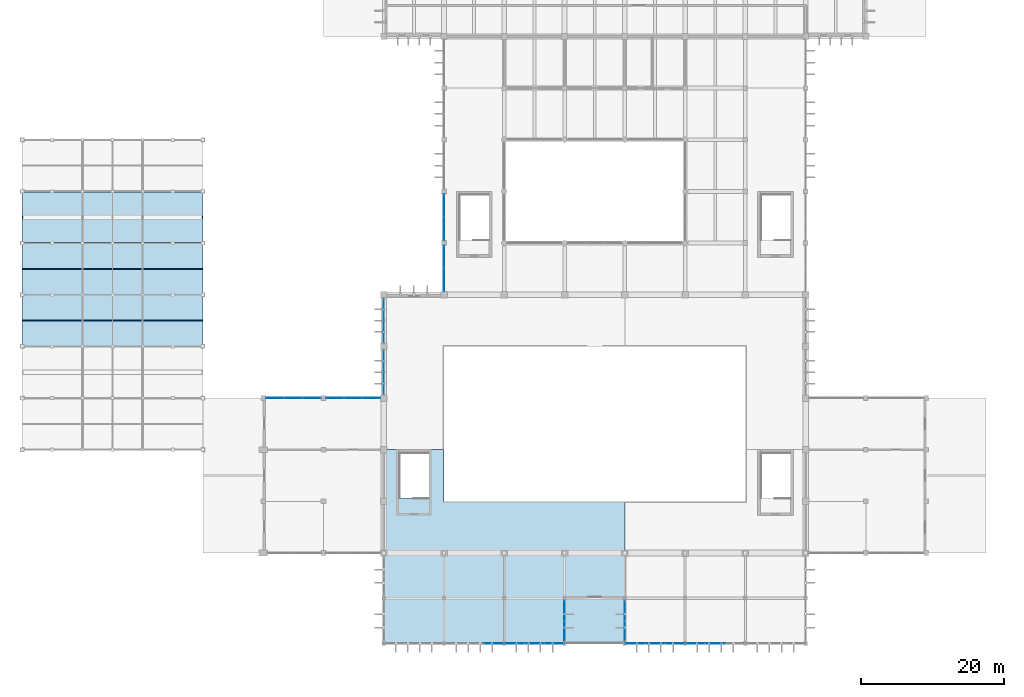
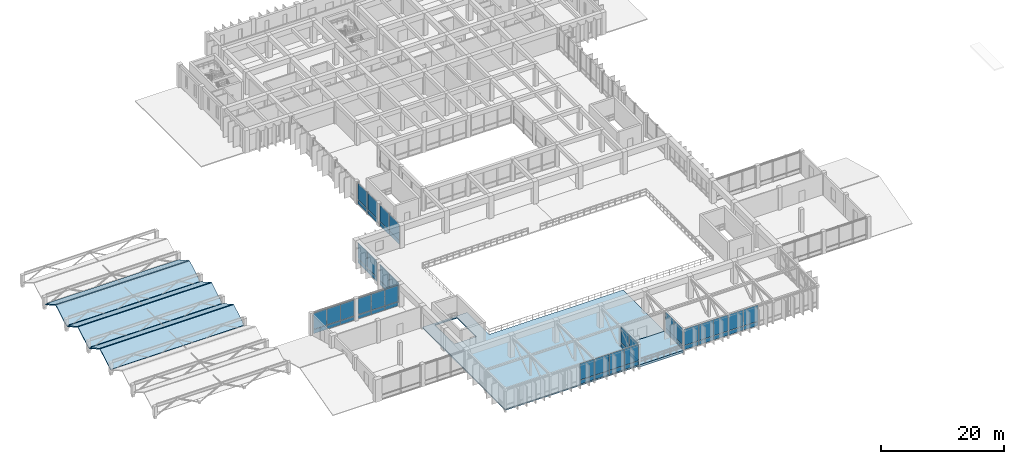
# One storey, part 21 of 40: 54 plates, 8 slabs, 12 elements without a shape of their own.
"""IFC4 building model written with IfcOpenShell, lengths in metres."""

import ifcopenshell
import ifcopenshell.guid

model = None  # the IFC model being written
_history = None  # IfcOwnerHistory: only IFC2X3 demands one
_inside = {}  # id of a spatial element -> (the spatial element, [elements in it])
_under = {}  # id of a project, library or spatial element -> (it, [spatial elements below it])
_declared = {}  # id of a project -> (the project, [libraries it declares])
_typed = {}  # id of a type object -> (the type object, [elements of that type])
_made_of = {}  # id of a material, layer set ... -> (it, [elements and type objects made of it])


def new_model(schema):
    """Start an empty IFC model of exactly this schema.

    Asked for "IFC4X3", IfcOpenShell would pick the latest addendum, in which some entities
    have other attributes; the version numbers below select the first issue.
    IFC2X3 requires an IfcOwnerHistory on every rooted entity: one is made here for all.
    """
    global model, _history
    if schema == "IFC4X3":
        model = ifcopenshell.file(schema_version=(4, 3, 0, 0))
    else:
        model = ifcopenshell.file(schema=schema)
    _inside.clear()
    _under.clear()
    _declared.clear()
    _typed.clear()
    _made_of.clear()
    _history = None
    if model.schema == "IFC2X3":
        org = make("IfcOrganization", Name="unknown")
        user = make(
            "IfcPersonAndOrganization",
            ThePerson=make("IfcPerson", FamilyName="unknown"),
            TheOrganization=org,
        )
        app = make(
            "IfcApplication",
            ApplicationDeveloper=org,
            Version="unknown",
            ApplicationFullName="unknown",
            ApplicationIdentifier="unknown",
        )
        _history = make(
            "IfcOwnerHistory",
            OwningUser=user,
            OwningApplication=app,
            ChangeAction="ADDED",
            CreationDate=0,
        )
    return model


def make(cls, **values):
    """One entity of the class cls with the attributes given. An attribute that is None is left unset."""
    return model.create_entity(
        cls, **{name: value for name, value in values.items() if value is not None}
    )


def rooted(cls, **values):
    """An entity with a GlobalId (a new one), such as an element, a storey or a relation."""
    return make(cls, GlobalId=ifcopenshell.guid.new(), OwnerHistory=_history, **values)


def si_unit(unit_type, name, prefix=None):
    """IfcSIUnit, for example si_unit("LENGTHUNIT", "METRE", prefix="MILLI")."""
    return make("IfcSIUnit", UnitType=unit_type, Prefix=prefix, Name=name)


def assignment(units):
    """IfcUnitAssignment: the units of a project."""
    return None if units is None else make("IfcUnitAssignment", Units=units)


def point(xyz):
    """IfcCartesianPoint."""
    return None if xyz is None else make("IfcCartesianPoint", Coordinates=xyz)


def direction(xyz):
    """IfcDirection."""
    return None if xyz is None else make("IfcDirection", DirectionRatios=xyz)


def frame(location, z_axis=None, x_axis=None):
    """IfcAxis2Placement3D, a coordinate frame: its origin and axes. An axis left out is left unset."""
    return make(
        "IfcAxis2Placement3D",
        Location=point(location),
        Axis=direction(z_axis),
        RefDirection=direction(x_axis),
    )


def frame_2d(location, x_axis=None):
    """IfcAxis2Placement2D, a coordinate frame in the plane: its origin and x axis."""
    return make(
        "IfcAxis2Placement2D", Location=point(location), RefDirection=direction(x_axis)
    )


def origin():
    """The frame at (0, 0, 0) with its axes left unset."""
    return frame((0.0, 0.0, 0.0))


def origin_2d():
    """The frame at (0, 0) in the plane with its x axis left unset."""
    return frame_2d((0.0, 0.0))


def place(relative_to, where):
    """IfcLocalPlacement: puts the frame where relative to a parent placement (None: the world)."""
    return make(
        "IfcLocalPlacement", PlacementRelTo=relative_to, RelativePlacement=where
    )


def context(
    kind, dimensions, precision=None, world=None, true_north=None, identifier=None
):
    """IfcGeometricRepresentationContext, for example the 3D "Model" context."""
    return make(
        "IfcGeometricRepresentationContext",
        ContextIdentifier=identifier,
        ContextType=kind,
        CoordinateSpaceDimension=dimensions,
        Precision=precision,
        WorldCoordinateSystem=world,
        TrueNorth=true_north,
    )


def subcontext(parent, identifier, kind, view, scale=None):
    """IfcGeometricRepresentationSubContext, for example "Body" below "Model"."""
    return make(
        "IfcGeometricRepresentationSubContext",
        ContextIdentifier=identifier,
        ContextType=kind,
        ParentContext=parent,
        TargetScale=scale,
        TargetView=view,
    )


def project(units=None, contexts=None):
    """IfcProject with its units and contexts."""
    return rooted(
        "IfcProject",
        Name="project",
        RepresentationContexts=contexts,
        UnitsInContext=assignment(units),
    )


def spatial(cls, under=None, at=None, **own):
    """A site, building, storey or space (cls), placed at a placement, below another one or the project."""
    s = rooted(cls, ObjectPlacement=at, **own)
    if under is not None:
        _under.setdefault(under.id(), (under, []))[1].append(s)
    return s


def polyline(points):
    """IfcPolyline through the points."""
    return make("IfcPolyline", Points=[point(p) for p in points])


def profile(cls, at=None, kind="AREA", **sizes):
    """A parametric profile (cls). Its sizes go by their IFC names, for example OverallWidth=200.0."""
    return make(cls, ProfileType=kind, Position=at, **sizes)


def rectangle(**sizes):
    """IfcRectangleProfileDef."""
    return profile("IfcRectangleProfileDef", **sizes)


def outline(outer, holes=None, kind="AREA"):
    """IfcArbitraryClosedProfileDef: a profile drawn as a closed curve; with holes, ...WithVoids."""
    if holes is None:
        return make("IfcArbitraryClosedProfileDef", ProfileType=kind, OuterCurve=outer)
    return make(
        "IfcArbitraryProfileDefWithVoids",
        ProfileType=kind,
        OuterCurve=outer,
        InnerCurves=holes,
    )


def extrude(swept, where, along, depth):
    """IfcExtrudedAreaSolid: the profile swept, set in the frame where, extruded along a direction by depth."""
    return make(
        "IfcExtrudedAreaSolid",
        SweptArea=swept,
        Position=where,
        ExtrudedDirection=direction(along),
        Depth=depth,
    )


def shape(context_of_items, identifier, shape_type, items):
    """IfcShapeRepresentation: the items that make up one representation, for example the "Body"."""
    return make(
        "IfcShapeRepresentation",
        ContextOfItems=context_of_items,
        RepresentationIdentifier=identifier,
        RepresentationType=shape_type,
        Items=items,
    )


def material(Name=None, Category=None):
    """IfcMaterial."""
    return make("IfcMaterial", Name=Name, Category=Category)


def layer(
    of_material, thickness, ventilated=None, Name=None, Category=None, Priority=None
):
    """IfcMaterialLayer: one layer of a wall or slab, of a material (None: an air gap)."""
    return make(
        "IfcMaterialLayer",
        Material=of_material,
        LayerThickness=thickness,
        IsVentilated=ventilated,
        Name=Name,
        Category=Category,
        Priority=Priority,
    )


def layer_set(layers, Name=None):
    """IfcMaterialLayerSet."""
    return make("IfcMaterialLayerSet", MaterialLayers=layers, LayerSetName=Name)


def made_of(thing, what):
    """Note that an element or type object is made of a material, layer set ...; save() writes the relation."""
    if what is not None:
        _made_of.setdefault(what.id(), (what, []))[1].append(thing)
    return thing


def type_object(cls, material=None, **own):
    """A type object (cls), such as IfcWallType, which elements share."""
    return made_of(rooted(cls, **own), material)


def element(
    cls,
    number,
    at=None,
    inside=None,
    cuts=None,
    type_object=None,
    material=None,
    context=None,
    identifier="Body",
    shape_type=None,
    held_by="IfcProductDefinitionShape",
    body=None,
    shapes=None,
    **own,
):
    """One element of the class cls, such as IfcWall. Its Tag is "e" and its number.

    at: its placement. inside: the storey or other place that contains it. cuts: it is an
    opening in that element (IfcRelVoidsElement). A single representation is given by context,
    identifier, shape_type and body (its items); several are given by shapes. held_by: the class
    of the entity that holds the representations. save() writes the other relations.
    """
    e = rooted(cls, Tag="e%d" % number, ObjectPlacement=at, **own)
    if body is not None:
        shapes = [shape(context, identifier, shape_type, body)]
    if shapes is not None:
        e.Representation = make(held_by, Representations=shapes)
    if inside is not None:
        _inside.setdefault(inside.id(), (inside, []))[1].append(e)
    if cuts is not None:
        rooted(
            "IfcRelVoidsElement", RelatingBuildingElement=cuts, RelatedOpeningElement=e
        )
    if type_object is not None:
        _typed.setdefault(type_object.id(), (type_object, []))[1].append(e)
    return made_of(e, material)


def aggregate(whole, parts):
    """IfcRelAggregates: a whole, such as a stair, and the parts it consists of."""
    return rooted("IfcRelAggregates", RelatingObject=whole, RelatedObjects=parts)


def save(model, path):
    """Write the relations noted so far, then the file.

    IfcRelAggregates (storeys below a building ...), IfcRelContainedInSpatialStructure (elements
    in a storey), IfcRelDefinesByType, IfcRelAssociatesMaterial and IfcRelDeclares: one each for
    every whole, place, type object, material and project.
    """
    for whole, parts in _under.values():
        aggregate(whole, parts)
    for where, things in _inside.values():
        rooted(
            "IfcRelContainedInSpatialStructure",
            RelatedElements=things,
            RelatingStructure=where,
        )
    for kind, things in _typed.values():
        rooted("IfcRelDefinesByType", RelatedObjects=things, RelatingType=kind)
    for what, things in _made_of.values():
        rooted("IfcRelAssociatesMaterial", RelatedObjects=things, RelatingMaterial=what)
    for by, libraries in _declared.values():
        rooted("IfcRelDeclares", RelatingContext=by, RelatedDefinitions=libraries)
    model.write(path)


model = new_model("IFC4")

# Units and contexts
model_context = context("Model", 3, precision=1e-05, world=origin(), true_north=direction((0.0, 1.0)))
body_context = subcontext(model_context, "Body", "Model", "MODEL_VIEW")
ifc_project = project(units=[si_unit("LENGTHUNIT", "METRE"), si_unit("AREAUNIT", "SQUARE_METRE"), si_unit("VOLUMEUNIT", "CUBIC_METRE"), si_unit("PLANEANGLEUNIT", "RADIAN"), si_unit("MASSUNIT", "GRAM", prefix="KILO")], contexts=[model_context])

# Site, building, storey
site_placement = place(None, origin())
site = spatial("IfcSite", under=ifc_project, at=site_placement, CompositionType="ELEMENT")
building_placement = place(site_placement, origin())
building = spatial("IfcBuilding", under=site, at=building_placement, Name="Kenerak Square Central Library", CompositionType="ELEMENT")
storey_placement = place(building_placement, frame((0.0, 0.0, 14.39990234375)))
storey = spatial("IfcBuildingStorey", under=building, at=storey_placement, Name="L03", CompositionType="ELEMENT", Elevation=14.39990234375)

# Slab
ifc_material_1 = material(Name="Concrete C40/50", Category="concrete")
ifc_layer_1 = layer(ifc_material_1, 0.22509765625)
ifc_layer_set_1 = layer_set([ifc_layer_1], Name="Concrete C40/50")
slab_type_1 = type_object("IfcSlabType", Name="General Reading Room Slab FS-225 C40/50", PredefinedType="FLOOR", material=ifc_layer_set_1)
slab_1_placement = place(storey_placement, frame((0.0, 0.0, -0.224853515625)))
element("IfcSlab", 1, at=slab_1_placement, inside=storey, type_object=slab_type_1, Name="V1 Floor Slab L03 019", PredefinedType="FLOOR", context=body_context, shape_type="SweptSolid", body=[
    extrude(outline(polyline([(58.39990234375, 4.199951171875), (58.39990234375, 31.199951171875), (66.800048828125, 31.199951171875), (66.800048828125, 24.0), (92.0, 24.0), (92.0, 10.5), (83.60009765625, 10.5), (83.60009765625, 4.199951171875), (58.39990234375, 4.199951171875)]), holes=[polyline([(64.679931640625, 24.449951171875), (64.679931640625, 30.800048828125), (60.52001953125, 30.800048828125), (60.52001953125, 24.449951171875), (64.679931640625, 24.449951171875)])]), origin(), (0.0, 0.0, 1.0), 0.224853515625),
])

# Curtain wall, plates
ifc_material_2 = material(Name="Anodised aluminium and solar-control low-E glazing", Category="aluminium")
curtain_wall_type_1 = type_object("IfcCurtainWallType", Name="Curtain Wall CW-V4-64x42 6425x4230", PredefinedType="USERDEFINED", material=ifc_material_2)
curtain_wall_1_placement = place(storey_placement, origin())
curtain_wall_1 = element("IfcCurtainWall", 2, at=curtain_wall_1_placement, inside=storey, type_object=curtain_wall_type_1, Name="Curtain Wall CW-V4-64x42 L03 0111", ObjectType="CURTAIN WALL", PredefinedType="USERDEFINED")
ifc_material_3 = material(Name="Solar-control low-E laminated double glazing", Category="glass")
ifc_layer_2 = layer(ifc_material_3, 0.02392578125)
ifc_layer_set_2 = layer_set([ifc_layer_2], Name="Solar-control low-E laminated double glazing")
plate_type_1 = type_object("IfcPlateType", Name="Low-E Double Glazed Curtain Panel CP-24", PredefinedType="CURTAIN_PANEL", material=ifc_layer_set_2)
plate_1_placement = place(storey_placement, frame((66.800048828125, 54.87255859375, 0.06494140625), z_axis=(0.0, 0.0, 1.0), x_axis=(0.0, 1.0, 0.0)))
plate_1 = element("IfcPlate", 3, at=plate_1_placement, type_object=plate_type_1, Name="CW-V4-64x42 Panel 1.1", PredefinedType="CURTAIN_PANEL", context=body_context, shape_type="SweptSolid", body=[
    extrude(rectangle(XDim=3.114990234375, YDim=0.02392578125, at=origin_2d()), origin(), (0.0, 0.0, 1.0), 0.802490234375),
])
plate_2_placement = place(storey_placement, frame((66.800048828125, 54.87255859375, 0.9326171875), z_axis=(0.0, 0.0, 1.0), x_axis=(0.0, 1.0, 0.0)))
plate_2 = element("IfcPlate", 4, at=plate_2_placement, type_object=plate_type_1, Name="CW-V4-64x42 Panel 1.2", PredefinedType="CURTAIN_PANEL", context=body_context, shape_type="SweptSolid", body=[
    extrude(rectangle(XDim=3.114990234375, YDim=0.02392578125, at=origin_2d()), origin(), (0.0, 0.0, 1.0), 3.232421875),
])
plate_3_placement = place(storey_placement, frame((66.800048828125, 58.052490234375, 0.06494140625), z_axis=(0.0, 0.0, 1.0), x_axis=(0.0, 1.0, 0.0)))
plate_3 = element("IfcPlate", 5, at=plate_3_placement, type_object=plate_type_1, Name="CW-V4-64x42 Panel 2.1", PredefinedType="CURTAIN_PANEL", context=body_context, shape_type="SweptSolid", body=[
    extrude(rectangle(XDim=3.114990234375, YDim=0.02392578125, at=origin_2d()), origin(), (0.0, 0.0, 1.0), 0.802490234375),
])
plate_4_placement = place(storey_placement, frame((66.800048828125, 58.052490234375, 0.9326171875), z_axis=(0.0, 0.0, 1.0), x_axis=(0.0, 1.0, 0.0)))
plate_4 = element("IfcPlate", 6, at=plate_4_placement, type_object=plate_type_1, Name="CW-V4-64x42 Panel 2.2", PredefinedType="CURTAIN_PANEL", context=body_context, shape_type="SweptSolid", body=[
    extrude(rectangle(XDim=3.114990234375, YDim=0.02392578125, at=origin_2d()), origin(), (0.0, 0.0, 1.0), 3.232421875),
])
aggregate(curtain_wall_1, [plate_1, plate_2, plate_3, plate_4])

curtain_wall_type_2 = type_object("IfcCurtainWallType", Name="Curtain Wall CW-V4-65x42 6550x4230", PredefinedType="USERDEFINED", material=ifc_material_2)
curtain_wall_2_placement = place(storey_placement, origin())
curtain_wall_2 = element("IfcCurtainWall", 7, at=curtain_wall_2_placement, inside=storey, type_object=curtain_wall_type_2, Name="Curtain Wall CW-V4-65x42 L03 0112", ObjectType="CURTAIN WALL", PredefinedType="USERDEFINED")
plate_5_placement = place(storey_placement, frame((66.800048828125, 61.978759765625, 0.06494140625), z_axis=(0.0, 0.0, 1.0), x_axis=(0.0, 1.0, 0.0)))
plate_5 = element("IfcPlate", 8, at=plate_5_placement, type_object=plate_type_1, Name="CW-V4-65x42 Panel 1.1", PredefinedType="CURTAIN_PANEL", context=body_context, shape_type="SweptSolid", body=[
    extrude(rectangle(XDim=3.177490234375, YDim=0.02392578125, at=origin_2d()), origin(), (0.0, 0.0, 1.0), 0.802490234375),
])
plate_6_placement = place(storey_placement, frame((66.800048828125, 61.978759765625, 0.9326171875), z_axis=(0.0, 0.0, 1.0), x_axis=(0.0, 1.0, 0.0)))
plate_6 = element("IfcPlate", 9, at=plate_6_placement, type_object=plate_type_1, Name="CW-V4-65x42 Panel 1.2", PredefinedType="CURTAIN_PANEL", context=body_context, shape_type="SweptSolid", body=[
    extrude(rectangle(XDim=3.177490234375, YDim=0.02392578125, at=origin_2d()), origin(), (0.0, 0.0, 1.0), 3.232421875),
])
plate_7_placement = place(storey_placement, frame((66.800048828125, 65.22119140625, 0.06494140625), z_axis=(0.0, 0.0, 1.0), x_axis=(0.0, 1.0, 0.0)))
plate_7 = element("IfcPlate", 10, at=plate_7_placement, type_object=plate_type_1, Name="CW-V4-65x42 Panel 2.1", PredefinedType="CURTAIN_PANEL", context=body_context, shape_type="SweptSolid", body=[
    extrude(rectangle(XDim=3.177490234375, YDim=0.02392578125, at=origin_2d()), origin(), (0.0, 0.0, 1.0), 0.802490234375),
])
plate_8_placement = place(storey_placement, frame((66.800048828125, 65.22119140625, 0.9326171875), z_axis=(0.0, 0.0, 1.0), x_axis=(0.0, 1.0, 0.0)))
plate_8 = element("IfcPlate", 11, at=plate_8_placement, type_object=plate_type_1, Name="CW-V4-65x42 Panel 2.2", PredefinedType="CURTAIN_PANEL", context=body_context, shape_type="SweptSolid", body=[
    extrude(rectangle(XDim=3.177490234375, YDim=0.02392578125, at=origin_2d()), origin(), (0.0, 0.0, 1.0), 3.232421875),
])
aggregate(curtain_wall_2, [plate_5, plate_6, plate_7, plate_8])

curtain_wall_type_3 = type_object("IfcCurtainWallType", Name="Curtain Wall CW-V6-77x42 7750x4230", PredefinedType="USERDEFINED", material=ifc_material_2)
curtain_wall_3_placement = place(storey_placement, origin())
curtain_wall_3 = element("IfcCurtainWall", 12, at=curtain_wall_3_placement, inside=storey, type_object=curtain_wall_type_3, Name="Curtain Wall CW-V6-77x42 L03 0141", ObjectType="CURTAIN WALL", PredefinedType="USERDEFINED")
plate_9_placement = place(storey_placement, frame((43.23291015625, 38.39990234375, 0.06494140625), z_axis=(0.0, 0.0, 1.0), x_axis=(1.0, 0.0, 0.0)))
plate_9 = element("IfcPlate", 13, at=plate_9_placement, type_object=plate_type_1, Name="CW-V6-77x42 Panel 1.1", PredefinedType="CURTAIN_PANEL", context=body_context, shape_type="SweptSolid", body=[
    extrude(rectangle(XDim=2.48583984375, YDim=0.02392578125, at=origin_2d()), origin(), (0.0, 0.0, 1.0), 0.802490234375),
])
plate_10_placement = place(storey_placement, frame((43.23291015625, 38.39990234375, 0.9326171875), z_axis=(0.0, 0.0, 1.0), x_axis=(1.0, 0.0, 0.0)))
plate_10 = element("IfcPlate", 14, at=plate_10_placement, type_object=plate_type_1, Name="CW-V6-77x42 Panel 1.2", PredefinedType="CURTAIN_PANEL", context=body_context, shape_type="SweptSolid", body=[
    extrude(rectangle(XDim=2.48583984375, YDim=0.02392578125, at=origin_2d()), origin(), (0.0, 0.0, 1.0), 3.232421875),
])
plate_11_placement = place(storey_placement, frame((45.800048828125, 38.39990234375, 0.06494140625), z_axis=(0.0, 0.0, 1.0), x_axis=(1.0, 0.0, 0.0)))
plate_11 = element("IfcPlate", 15, at=plate_11_placement, type_object=plate_type_1, Name="CW-V6-77x42 Panel 2.1", PredefinedType="CURTAIN_PANEL", context=body_context, shape_type="SweptSolid", body=[
    extrude(rectangle(XDim=2.518310546875, YDim=0.02392578125, at=origin_2d()), origin(), (0.0, 0.0, 1.0), 0.802490234375),
])
plate_12_placement = place(storey_placement, frame((45.800048828125, 38.39990234375, 0.9326171875), z_axis=(0.0, 0.0, 1.0), x_axis=(1.0, 0.0, 0.0)))
plate_12 = element("IfcPlate", 16, at=plate_12_placement, type_object=plate_type_1, Name="CW-V6-77x42 Panel 2.2", PredefinedType="CURTAIN_PANEL", context=body_context, shape_type="SweptSolid", body=[
    extrude(rectangle(XDim=2.518310546875, YDim=0.02392578125, at=origin_2d()), origin(), (0.0, 0.0, 1.0), 3.232421875),
])
plate_13_placement = place(storey_placement, frame((48.3671875, 38.39990234375, 0.06494140625), z_axis=(0.0, 0.0, 1.0), x_axis=(1.0, 0.0, 0.0)))
plate_13 = element("IfcPlate", 17, at=plate_13_placement, type_object=plate_type_1, Name="CW-V6-77x42 Panel 3.1", PredefinedType="CURTAIN_PANEL", context=body_context, shape_type="SweptSolid", body=[
    extrude(rectangle(XDim=2.48583984375, YDim=0.02392578125, at=origin_2d()), origin(), (0.0, 0.0, 1.0), 0.802490234375),
])
plate_14_placement = place(storey_placement, frame((48.3671875, 38.39990234375, 0.9326171875), z_axis=(0.0, 0.0, 1.0), x_axis=(1.0, 0.0, 0.0)))
plate_14 = element("IfcPlate", 18, at=plate_14_placement, type_object=plate_type_1, Name="CW-V6-77x42 Panel 3.2", PredefinedType="CURTAIN_PANEL", context=body_context, shape_type="SweptSolid", body=[
    extrude(rectangle(XDim=2.48583984375, YDim=0.02392578125, at=origin_2d()), origin(), (0.0, 0.0, 1.0), 3.232421875),
])
aggregate(curtain_wall_3, [plate_9, plate_10, plate_11, plate_12, plate_13, plate_14])

curtain_wall_type_4 = type_object("IfcCurtainWallType", Name="Curtain Wall CW-V6-76x42 7625x4230", PredefinedType="USERDEFINED", material=ifc_material_2)
curtain_wall_4_placement = place(storey_placement, origin())
curtain_wall_4 = element("IfcCurtainWall", 19, at=curtain_wall_4_placement, inside=storey, type_object=curtain_wall_type_4, Name="Curtain Wall CW-V6-76x42 L03 0142", ObjectType="CURTAIN WALL", PredefinedType="USERDEFINED")
plate_15_placement = place(storey_placement, frame((51.612060546875, 38.39990234375, 0.06494140625), z_axis=(0.0, 0.0, 1.0), x_axis=(1.0, 0.0, 0.0)))
plate_15 = element("IfcPlate", 20, at=plate_15_placement, type_object=plate_type_1, Name="CW-V6-76x42 Panel 1.1", PredefinedType="CURTAIN_PANEL", context=body_context, shape_type="SweptSolid", body=[
    extrude(rectangle(XDim=2.444091796875, YDim=0.02392578125, at=origin_2d()), origin(), (0.0, 0.0, 1.0), 0.802490234375),
])
plate_16_placement = place(storey_placement, frame((51.612060546875, 38.39990234375, 0.9326171875), z_axis=(0.0, 0.0, 1.0), x_axis=(1.0, 0.0, 0.0)))
plate_16 = element("IfcPlate", 21, at=plate_16_placement, type_object=plate_type_1, Name="CW-V6-76x42 Panel 1.2", PredefinedType="CURTAIN_PANEL", context=body_context, shape_type="SweptSolid", body=[
    extrude(rectangle(XDim=2.444091796875, YDim=0.02392578125, at=origin_2d()), origin(), (0.0, 0.0, 1.0), 3.232421875),
])
plate_17_placement = place(storey_placement, frame((54.137451171875, 38.39990234375, 0.06494140625), z_axis=(0.0, 0.0, 1.0), x_axis=(1.0, 0.0, 0.0)))
plate_17 = element("IfcPlate", 22, at=plate_17_placement, type_object=plate_type_1, Name="CW-V6-76x42 Panel 2.1", PredefinedType="CURTAIN_PANEL", context=body_context, shape_type="SweptSolid", body=[
    extrude(rectangle(XDim=2.4765625, YDim=0.02392578125, at=origin_2d()), origin(), (0.0, 0.0, 1.0), 0.802490234375),
])
plate_18_placement = place(storey_placement, frame((54.137451171875, 38.39990234375, 0.9326171875), z_axis=(0.0, 0.0, 1.0), x_axis=(1.0, 0.0, 0.0)))
plate_18 = element("IfcPlate", 23, at=plate_18_placement, type_object=plate_type_1, Name="CW-V6-76x42 Panel 2.2", PredefinedType="CURTAIN_PANEL", context=body_context, shape_type="SweptSolid", body=[
    extrude(rectangle(XDim=2.4765625, YDim=0.02392578125, at=origin_2d()), origin(), (0.0, 0.0, 1.0), 3.232421875),
])
plate_19_placement = place(storey_placement, frame((56.662841796875, 38.39990234375, 0.06494140625), z_axis=(0.0, 0.0, 1.0), x_axis=(1.0, 0.0, 0.0)))
plate_19 = element("IfcPlate", 24, at=plate_19_placement, type_object=plate_type_1, Name="CW-V6-76x42 Panel 3.1", PredefinedType="CURTAIN_PANEL", context=body_context, shape_type="SweptSolid", body=[
    extrude(rectangle(XDim=2.444091796875, YDim=0.02392578125, at=origin_2d()), origin(), (0.0, 0.0, 1.0), 0.802490234375),
])
plate_20_placement = place(storey_placement, frame((56.662841796875, 38.39990234375, 0.9326171875), z_axis=(0.0, 0.0, 1.0), x_axis=(1.0, 0.0, 0.0)))
plate_20 = element("IfcPlate", 25, at=plate_20_placement, type_object=plate_type_1, Name="CW-V6-76x42 Panel 3.2", PredefinedType="CURTAIN_PANEL", context=body_context, shape_type="SweptSolid", body=[
    extrude(rectangle(XDim=2.444091796875, YDim=0.02392578125, at=origin_2d()), origin(), (0.0, 0.0, 1.0), 3.232421875),
])
aggregate(curtain_wall_4, [plate_15, plate_16, plate_17, plate_18, plate_19, plate_20])

# Slabs
ifc_material_4 = material(Name="Precast concrete C40/50", Category="concrete")
ifc_layer_3 = layer(ifc_material_4, 0.179931640625)
ifc_layer_set_3 = layer_set([ifc_layer_3], Name="Precast concrete C40/50")
slab_type_2 = type_object("IfcSlabType", Name="Pitched Standing-Seam Acoustic Roof Deck RS-180 C40/50", PredefinedType="ROOF", material=ifc_layer_set_3)
slab_2_placement = place(storey_placement, frame((8.0, 45.64990234375, 0.4501953125), z_axis=(0.0, -0.499338952924, 0.86640672325), x_axis=(1.0, 0.0, 0.0)))
element("IfcSlab", 26, at=slab_2_placement, inside=storey, type_object=slab_type_2, Name="Auditorium Acoustic Fold Roof 3S", PredefinedType="ROOF", context=body_context, shape_type="SweptSolid", body=[
    extrude(outline(polyline([(0.0, 0.0), (25.199951171875, 0.0), (25.199951171875, 4.005295377594871), (0.0, 4.005295377594871), (0.0, 0.0)])), origin(), (0.0, 0.0, -1.0), 0.179931640625),
])
for number, where, z_axis, x_axis, name in (
    (27, (8.0, 49.280029296875, 2.4501953125), (0.0, 0.499365324853, 0.866391523697), (1.0, 0.0, 0.0), "Auditorium Acoustic Fold Roof 3N"),
    (28, (8.0, 52.85009765625, 0.4501953125), (0.0, -0.499365324853, 0.866391523697), (1.0, 0.0, 0.0), "Auditorium Acoustic Fold Roof 4S"),
    (29, (8.0, 56.47998046875, 2.4501953125), (0.0, 0.499365324853, 0.866391523697), (1.0, 0.0, 0.0), "Auditorium Acoustic Fold Roof 4N"),
    (30, (8.0, 60.050048828125, 0.4501953125), (0.0, -0.499365324853, 0.866391523697), (1.0, 0.0, 0.0), "Auditorium Acoustic Fold Roof 5S"),
    (31, (8.0, 63.679931640625, 2.4501953125), (0.0, 0.499365324853, 0.866391523697), (1.0, 0.0, 0.0), "Auditorium Acoustic Fold Roof 5N"),
):
    element("IfcSlab", number, at=place(storey_placement, frame(where, z_axis=z_axis, x_axis=x_axis)), inside=storey, type_object=slab_type_2, Name=name, PredefinedType="ROOF", context=body_context, shape_type="SweptSolid", body=[
        extrude(outline(polyline([(0.0, 0.0), (25.199951171875, 0.0), (25.199951171875, 4.005083854371317), (0.0, 4.005083854371317), (0.0, 0.0)])), origin(), (0.0, 0.0, -1.0), 0.179931640625),
    ])
ifc_material_5 = material(Name="Concrete C45/55", Category="concrete")
ifc_layer_4 = layer(ifc_material_5, 0.449951171875)
ifc_layer_set_4 = layer_set([ifc_layer_4], Name="Concrete C45/55")
slab_type_3 = type_object("IfcSlabType", Name="Tree-Terrace Notch Trough Slab TS-450 C45/55", PredefinedType="FLOOR", material=ifc_layer_set_4)
slab_3_placement = place(storey_placement, frame((0.0, 0.0, -0.449951171875)))
element("IfcSlab", 32, at=slab_3_placement, inside=storey, type_object=slab_type_3, Name="Planted Entrance Notch Terrace", PredefinedType="FLOOR", context=body_context, shape_type="SweptSolid", body=[
    extrude(outline(polyline([(83.60009765625, 4.199951171875), (92.0, 4.199951171875), (92.0, 10.5), (83.60009765625, 10.5), (83.60009765625, 4.199951171875)])), origin(), (0.0, 0.0, 1.0), 0.449951171875),
])

# Curtain wall, plates
curtain_wall_type_5 = type_object("IfcCurtainWallType", Name="Curtain Wall CW-V1-63x42 6300x4230", PredefinedType="USERDEFINED", material=ifc_material_2)
curtain_wall_5_placement = place(storey_placement, origin())
curtain_wall_5 = element("IfcCurtainWall", 33, at=curtain_wall_5_placement, inside=storey, type_object=curtain_wall_type_5, Name="Curtain Wall CW-V1-63x42 L03 0109", ObjectType="CURTAIN WALL", PredefinedType="USERDEFINED")
ifc_material_6 = material(Name="Triple-laminated solar-control low-E glazing", Category="glass")
ifc_layer_5 = layer(ifc_material_6, 0.031982421875)
ifc_layer_set_5 = layer_set([ifc_layer_5], Name="Triple-laminated solar-control low-E glazing")
plate_type_2 = type_object("IfcPlateType", Name="Triple-Laminated Reading Hall Panel CP-32", PredefinedType="CURTAIN_PANEL", material=ifc_layer_set_5)
plate_21_placement = place(storey_placement, frame((58.39990234375, 40.44384765625, 0.074951171875), z_axis=(0.0, 0.0, 1.0), x_axis=(0.0, 1.0, 0.0)))
plate_21 = element("IfcPlate", 34, at=plate_21_placement, type_object=plate_type_2, Name="CW-V1-63x42 Panel 1.1", PredefinedType="CURTAIN_PANEL", context=body_context, shape_type="SweptSolid", body=[
    extrude(rectangle(XDim=3.03759765625, YDim=0.031982421875, at=origin_2d()), origin(), (0.0, 0.0, 1.0), 0.78759765625),
])
plate_22_placement = place(storey_placement, frame((58.39990234375, 40.44384765625, 0.9375), z_axis=(0.0, 0.0, 1.0), x_axis=(0.0, 1.0, 0.0)))
plate_22 = element("IfcPlate", 35, at=plate_22_placement, type_object=plate_type_2, Name="CW-V1-63x42 Panel 1.2", PredefinedType="CURTAIN_PANEL", context=body_context, shape_type="SweptSolid", body=[
    extrude(rectangle(XDim=3.03759765625, YDim=0.031982421875, at=origin_2d()), origin(), (0.0, 0.0, 1.0), 3.217529296875),
])
plate_23_placement = place(storey_placement, frame((58.39990234375, 43.55615234375, 0.074951171875), z_axis=(0.0, 0.0, 1.0), x_axis=(0.0, 1.0, 0.0)))
plate_23 = element("IfcPlate", 36, at=plate_23_placement, type_object=plate_type_2, Name="CW-V1-63x42 Panel 2.1", PredefinedType="CURTAIN_PANEL", context=body_context, shape_type="SweptSolid", body=[
    extrude(rectangle(XDim=3.03759765625, YDim=0.031982421875, at=origin_2d()), origin(), (0.0, 0.0, 1.0), 0.78759765625),
])
plate_24_placement = place(storey_placement, frame((58.39990234375, 43.55615234375, 0.9375), z_axis=(0.0, 0.0, 1.0), x_axis=(0.0, 1.0, 0.0)))
plate_24 = element("IfcPlate", 37, at=plate_24_placement, type_object=plate_type_2, Name="CW-V1-63x42 Panel 2.2", PredefinedType="CURTAIN_PANEL", context=body_context, shape_type="SweptSolid", body=[
    extrude(rectangle(XDim=3.03759765625, YDim=0.031982421875, at=origin_2d()), origin(), (0.0, 0.0, 1.0), 3.217529296875),
])
aggregate(curtain_wall_5, [plate_21, plate_22, plate_23, plate_24])

curtain_wall_6_placement = place(storey_placement, origin())
curtain_wall_6 = element("IfcCurtainWall", 38, at=curtain_wall_6_placement, inside=storey, type_object=curtain_wall_type_5, Name="Curtain Wall CW-V1-63x42 L03 0110", ObjectType="CURTAIN WALL", PredefinedType="USERDEFINED")
plate_25_placement = place(storey_placement, frame((58.39990234375, 47.643798828125, 0.074951171875), z_axis=(0.0, 0.0, 1.0), x_axis=(0.0, 1.0, 0.0)))
plate_25 = element("IfcPlate", 39, at=plate_25_placement, type_object=plate_type_2, Name="CW-V1-63x42 Panel 1.1", PredefinedType="CURTAIN_PANEL", context=body_context, shape_type="SweptSolid", body=[
    extrude(rectangle(XDim=3.03759765625, YDim=0.031982421875, at=origin_2d()), origin(), (0.0, 0.0, 1.0), 0.78759765625),
])
plate_26_placement = place(storey_placement, frame((58.39990234375, 47.643798828125, 0.9375), z_axis=(0.0, 0.0, 1.0), x_axis=(0.0, 1.0, 0.0)))
plate_26 = element("IfcPlate", 40, at=plate_26_placement, type_object=plate_type_2, Name="CW-V1-63x42 Panel 1.2", PredefinedType="CURTAIN_PANEL", context=body_context, shape_type="SweptSolid", body=[
    extrude(rectangle(XDim=3.03759765625, YDim=0.031982421875, at=origin_2d()), origin(), (0.0, 0.0, 1.0), 3.217529296875),
])
plate_27_placement = place(storey_placement, frame((58.39990234375, 50.75634765625, 0.074951171875), z_axis=(0.0, 0.0, 1.0), x_axis=(0.0, 1.0, 0.0)))
plate_27 = element("IfcPlate", 41, at=plate_27_placement, type_object=plate_type_2, Name="CW-V1-63x42 Panel 2.1", PredefinedType="CURTAIN_PANEL", context=body_context, shape_type="SweptSolid", body=[
    extrude(rectangle(XDim=3.03759765625, YDim=0.031982421875, at=origin_2d()), origin(), (0.0, 0.0, 1.0), 0.78759765625),
])
plate_28_placement = place(storey_placement, frame((58.39990234375, 50.75634765625, 0.9375), z_axis=(0.0, 0.0, 1.0), x_axis=(0.0, 1.0, 0.0)))
plate_28 = element("IfcPlate", 42, at=plate_28_placement, type_object=plate_type_2, Name="CW-V1-63x42 Panel 2.2", PredefinedType="CURTAIN_PANEL", context=body_context, shape_type="SweptSolid", body=[
    extrude(rectangle(XDim=3.03759765625, YDim=0.031982421875, at=origin_2d()), origin(), (0.0, 0.0, 1.0), 3.217529296875),
])
aggregate(curtain_wall_6, [plate_25, plate_26, plate_27, plate_28])

curtain_wall_type_6 = type_object("IfcCurtainWallType", Name="Curtain Wall CW-V1-84x42 8400x4230", PredefinedType="USERDEFINED", material=ifc_material_2)
curtain_wall_7_placement = place(storey_placement, origin())
curtain_wall_7 = element("IfcCurtainWall", 43, at=curtain_wall_7_placement, inside=storey, type_object=curtain_wall_type_6, Name="Curtain Wall CW-V1-84x42 L03 0130", ObjectType="CURTAIN WALL", PredefinedType="USERDEFINED")
plate_29_placement = place(storey_placement, frame((104.60009765625, 4.199951171875, 0.074951171875), z_axis=(0.0, 0.0, 1.0), x_axis=(-1.0, 0.0, 0.0)))
plate_29 = element("IfcPlate", 44, at=plate_29_placement, type_object=plate_type_2, Name="CW-V1-84x42 Panel 2.1", PredefinedType="CURTAIN_PANEL", context=body_context, shape_type="SweptSolid", body=[
    extrude(rectangle(XDim=2.72509765625, YDim=0.031982421875, at=origin_2d()), origin(), (0.0, 0.0, 1.0), 0.78759765625),
])
plate_30_placement = place(storey_placement, frame((104.60009765625, 4.199951171875, 0.9375), z_axis=(0.0, 0.0, 1.0), x_axis=(-1.0, 0.0, 0.0)))
plate_30 = element("IfcPlate", 45, at=plate_30_placement, type_object=plate_type_2, Name="CW-V1-84x42 Panel 2.2", PredefinedType="CURTAIN_PANEL", context=body_context, shape_type="SweptSolid", body=[
    extrude(rectangle(XDim=2.72509765625, YDim=0.031982421875, at=origin_2d()), origin(), (0.0, 0.0, 1.0), 3.217529296875),
])
plate_31_placement = place(storey_placement, frame((101.81884765625, 4.199951171875, 0.074951171875), z_axis=(0.0, 0.0, 1.0), x_axis=(-1.0, 0.0, 0.0)))
plate_31 = element("IfcPlate", 46, at=plate_31_placement, type_object=plate_type_2, Name="CW-V1-84x42 Panel 3.1", PredefinedType="CURTAIN_PANEL", context=body_context, shape_type="SweptSolid", body=[
    extrude(rectangle(XDim=2.6875, YDim=0.031982421875, at=origin_2d()), origin(), (0.0, 0.0, 1.0), 0.78759765625),
])
plate_32_placement = place(storey_placement, frame((101.81884765625, 4.199951171875, 0.9375), z_axis=(0.0, 0.0, 1.0), x_axis=(-1.0, 0.0, 0.0)))
plate_32 = element("IfcPlate", 47, at=plate_32_placement, type_object=plate_type_2, Name="CW-V1-84x42 Panel 3.2", PredefinedType="CURTAIN_PANEL", context=body_context, shape_type="SweptSolid", body=[
    extrude(rectangle(XDim=2.6875, YDim=0.031982421875, at=origin_2d()), origin(), (0.0, 0.0, 1.0), 3.217529296875),
])
aggregate(curtain_wall_7, [plate_29, plate_30, plate_31, plate_32])

curtain_wall_8_placement = place(storey_placement, origin())
curtain_wall_8 = element("IfcCurtainWall", 48, at=curtain_wall_8_placement, inside=storey, type_object=curtain_wall_type_6, Name="Curtain Wall CW-V1-84x42 L03 0131", ObjectType="CURTAIN WALL", PredefinedType="USERDEFINED")
plate_33_placement = place(storey_placement, frame((98.981201171875, 4.199951171875, 0.074951171875), z_axis=(0.0, 0.0, 1.0), x_axis=(-1.0, 0.0, 0.0)))
plate_33 = element("IfcPlate", 49, at=plate_33_placement, type_object=plate_type_2, Name="CW-V1-84x42 Panel 1.1", PredefinedType="CURTAIN_PANEL", context=body_context, shape_type="SweptSolid", body=[
    extrude(rectangle(XDim=2.6875, YDim=0.031982421875, at=origin_2d()), origin(), (0.0, 0.0, 1.0), 0.78759765625),
])
plate_34_placement = place(storey_placement, frame((98.981201171875, 4.199951171875, 0.9375), z_axis=(0.0, 0.0, 1.0), x_axis=(-1.0, 0.0, 0.0)))
plate_34 = element("IfcPlate", 50, at=plate_34_placement, type_object=plate_type_2, Name="CW-V1-84x42 Panel 1.2", PredefinedType="CURTAIN_PANEL", context=body_context, shape_type="SweptSolid", body=[
    extrude(rectangle(XDim=2.6875, YDim=0.031982421875, at=origin_2d()), origin(), (0.0, 0.0, 1.0), 3.217529296875),
])
plate_35_placement = place(storey_placement, frame((96.199951171875, 4.199951171875, 0.074951171875), z_axis=(0.0, 0.0, 1.0), x_axis=(-1.0, 0.0, 0.0)))
plate_35 = element("IfcPlate", 51, at=plate_35_placement, type_object=plate_type_2, Name="CW-V1-84x42 Panel 2.1", PredefinedType="CURTAIN_PANEL", context=body_context, shape_type="SweptSolid", body=[
    extrude(rectangle(XDim=2.72509765625, YDim=0.031982421875, at=origin_2d()), origin(), (0.0, 0.0, 1.0), 0.78759765625),
])
plate_36_placement = place(storey_placement, frame((96.199951171875, 4.199951171875, 0.9375), z_axis=(0.0, 0.0, 1.0), x_axis=(-1.0, 0.0, 0.0)))
plate_36 = element("IfcPlate", 52, at=plate_36_placement, type_object=plate_type_2, Name="CW-V1-84x42 Panel 2.2", PredefinedType="CURTAIN_PANEL", context=body_context, shape_type="SweptSolid", body=[
    extrude(rectangle(XDim=2.72509765625, YDim=0.031982421875, at=origin_2d()), origin(), (0.0, 0.0, 1.0), 3.217529296875),
])
plate_37_placement = place(storey_placement, frame((93.418701171875, 4.199951171875, 0.074951171875), z_axis=(0.0, 0.0, 1.0), x_axis=(-1.0, 0.0, 0.0)))
plate_37 = element("IfcPlate", 53, at=plate_37_placement, type_object=plate_type_2, Name="CW-V1-84x42 Panel 3.1", PredefinedType="CURTAIN_PANEL", context=body_context, shape_type="SweptSolid", body=[
    extrude(rectangle(XDim=2.6875, YDim=0.031982421875, at=origin_2d()), origin(), (0.0, 0.0, 1.0), 0.78759765625),
])
plate_38_placement = place(storey_placement, frame((93.418701171875, 4.199951171875, 0.9375), z_axis=(0.0, 0.0, 1.0), x_axis=(-1.0, 0.0, 0.0)))
plate_38 = element("IfcPlate", 54, at=plate_38_placement, type_object=plate_type_2, Name="CW-V1-84x42 Panel 3.2", PredefinedType="CURTAIN_PANEL", context=body_context, shape_type="SweptSolid", body=[
    extrude(rectangle(XDim=2.6875, YDim=0.031982421875, at=origin_2d()), origin(), (0.0, 0.0, 1.0), 3.217529296875),
])
aggregate(curtain_wall_8, [plate_33, plate_34, plate_35, plate_36, plate_37, plate_38])

curtain_wall_type_7 = type_object("IfcCurtainWallType", Name="Curtain Wall CW-V1-57x42 5700x4230", PredefinedType="USERDEFINED", material=ifc_material_2)
curtain_wall_9_placement = place(storey_placement, origin())
curtain_wall_9 = element("IfcCurtainWall", 55, at=curtain_wall_9_placement, inside=storey, type_object=curtain_wall_type_7, Name="Curtain Wall CW-V1-57x42 L03 0132", ObjectType="CURTAIN WALL", PredefinedType="USERDEFINED")
plate_39_placement = place(storey_placement, frame((92.0, 5.94384765625, 0.074951171875), z_axis=(0.0, 0.0, 1.0), x_axis=(0.0, 1.0, 0.0)))
plate_39 = element("IfcPlate", 56, at=plate_39_placement, type_object=plate_type_2, Name="CW-V1-57x42 Panel 1.1", PredefinedType="CURTAIN_PANEL", context=body_context, shape_type="SweptSolid", body=[
    extrude(rectangle(XDim=2.737548828125, YDim=0.031982421875, at=origin_2d()), origin(), (0.0, 0.0, 1.0), 0.78759765625),
])
plate_40_placement = place(storey_placement, frame((92.0, 5.94384765625, 0.9375), z_axis=(0.0, 0.0, 1.0), x_axis=(0.0, 1.0, 0.0)))
plate_40 = element("IfcPlate", 57, at=plate_40_placement, type_object=plate_type_2, Name="CW-V1-57x42 Panel 1.2", PredefinedType="CURTAIN_PANEL", context=body_context, shape_type="SweptSolid", body=[
    extrude(rectangle(XDim=2.737548828125, YDim=0.031982421875, at=origin_2d()), origin(), (0.0, 0.0, 1.0), 3.217529296875),
])
plate_41_placement = place(storey_placement, frame((92.0, 8.75634765625, 0.074951171875), z_axis=(0.0, 0.0, 1.0), x_axis=(0.0, 1.0, 0.0)))
plate_41 = element("IfcPlate", 58, at=plate_41_placement, type_object=plate_type_2, Name="CW-V1-57x42 Panel 2.1", PredefinedType="CURTAIN_PANEL", context=body_context, shape_type="SweptSolid", body=[
    extrude(rectangle(XDim=2.737548828125, YDim=0.031982421875, at=origin_2d()), origin(), (0.0, 0.0, 1.0), 0.78759765625),
])
plate_42_placement = place(storey_placement, frame((92.0, 8.75634765625, 0.9375), z_axis=(0.0, 0.0, 1.0), x_axis=(0.0, 1.0, 0.0)))
plate_42 = element("IfcPlate", 59, at=plate_42_placement, type_object=plate_type_2, Name="CW-V1-57x42 Panel 2.2", PredefinedType="CURTAIN_PANEL", context=body_context, shape_type="SweptSolid", body=[
    extrude(rectangle(XDim=2.737548828125, YDim=0.031982421875, at=origin_2d()), origin(), (0.0, 0.0, 1.0), 3.217529296875),
])
aggregate(curtain_wall_9, [plate_39, plate_40, plate_41, plate_42])

curtain_wall_10_placement = place(storey_placement, origin())
curtain_wall_10 = element("IfcCurtainWall", 60, at=curtain_wall_10_placement, inside=storey, type_object=curtain_wall_type_7, Name="Curtain Wall CW-V1-57x42 L03 0133", ObjectType="CURTAIN WALL", PredefinedType="USERDEFINED")
plate_43_placement = place(storey_placement, frame((83.60009765625, 8.75634765625, 0.074951171875), z_axis=(0.0, 0.0, 1.0), x_axis=(0.0, -1.0, 0.0)))
plate_43 = element("IfcPlate", 61, at=plate_43_placement, type_object=plate_type_2, Name="CW-V1-57x42 Panel 1.1", PredefinedType="CURTAIN_PANEL", context=body_context, shape_type="SweptSolid", body=[
    extrude(rectangle(XDim=2.737548828125, YDim=0.031982421875, at=origin_2d()), origin(), (0.0, 0.0, 1.0), 0.78759765625),
])
plate_44_placement = place(storey_placement, frame((83.60009765625, 8.75634765625, 0.9375), z_axis=(0.0, 0.0, 1.0), x_axis=(0.0, -1.0, 0.0)))
plate_44 = element("IfcPlate", 62, at=plate_44_placement, type_object=plate_type_2, Name="CW-V1-57x42 Panel 1.2", PredefinedType="CURTAIN_PANEL", context=body_context, shape_type="SweptSolid", body=[
    extrude(rectangle(XDim=2.737548828125, YDim=0.031982421875, at=origin_2d()), origin(), (0.0, 0.0, 1.0), 3.217529296875),
])
plate_45_placement = place(storey_placement, frame((83.60009765625, 5.94384765625, 0.074951171875), z_axis=(0.0, 0.0, 1.0), x_axis=(0.0, -1.0, 0.0)))
plate_45 = element("IfcPlate", 63, at=plate_45_placement, type_object=plate_type_2, Name="CW-V1-57x42 Panel 2.1", PredefinedType="CURTAIN_PANEL", context=body_context, shape_type="SweptSolid", body=[
    extrude(rectangle(XDim=2.737548828125, YDim=0.031982421875, at=origin_2d()), origin(), (0.0, 0.0, 1.0), 0.78759765625),
])
plate_46_placement = place(storey_placement, frame((83.60009765625, 5.94384765625, 0.9375), z_axis=(0.0, 0.0, 1.0), x_axis=(0.0, -1.0, 0.0)))
plate_46 = element("IfcPlate", 64, at=plate_46_placement, type_object=plate_type_2, Name="CW-V1-57x42 Panel 2.2", PredefinedType="CURTAIN_PANEL", context=body_context, shape_type="SweptSolid", body=[
    extrude(rectangle(XDim=2.737548828125, YDim=0.031982421875, at=origin_2d()), origin(), (0.0, 0.0, 1.0), 3.217529296875),
])
aggregate(curtain_wall_10, [plate_43, plate_44, plate_45, plate_46])

curtain_wall_11_placement = place(storey_placement, origin())
curtain_wall_11 = element("IfcCurtainWall", 65, at=curtain_wall_11_placement, inside=storey, type_object=curtain_wall_type_6, Name="Curtain Wall CW-V1-84x42 L03 0134", ObjectType="CURTAIN WALL", PredefinedType="USERDEFINED")
plate_47_placement = place(storey_placement, frame((82.18115234375, 4.199951171875, 0.074951171875), z_axis=(0.0, 0.0, 1.0), x_axis=(-1.0, 0.0, 0.0)))
plate_47 = element("IfcPlate", 66, at=plate_47_placement, type_object=plate_type_2, Name="CW-V1-84x42 Panel 1.1", PredefinedType="CURTAIN_PANEL", context=body_context, shape_type="SweptSolid", body=[
    extrude(rectangle(XDim=2.6875, YDim=0.031982421875, at=origin_2d()), origin(), (0.0, 0.0, 1.0), 0.78759765625),
])
plate_48_placement = place(storey_placement, frame((82.18115234375, 4.199951171875, 0.9375), z_axis=(0.0, 0.0, 1.0), x_axis=(-1.0, 0.0, 0.0)))
plate_48 = element("IfcPlate", 67, at=plate_48_placement, type_object=plate_type_2, Name="CW-V1-84x42 Panel 1.2", PredefinedType="CURTAIN_PANEL", context=body_context, shape_type="SweptSolid", body=[
    extrude(rectangle(XDim=2.6875, YDim=0.031982421875, at=origin_2d()), origin(), (0.0, 0.0, 1.0), 3.217529296875),
])
plate_49_placement = place(storey_placement, frame((79.39990234375, 4.199951171875, 0.074951171875), z_axis=(0.0, 0.0, 1.0), x_axis=(-1.0, 0.0, 0.0)))
plate_49 = element("IfcPlate", 68, at=plate_49_placement, type_object=plate_type_2, Name="CW-V1-84x42 Panel 2.1", PredefinedType="CURTAIN_PANEL", context=body_context, shape_type="SweptSolid", body=[
    extrude(rectangle(XDim=2.72509765625, YDim=0.031982421875, at=origin_2d()), origin(), (0.0, 0.0, 1.0), 0.78759765625),
])
plate_50_placement = place(storey_placement, frame((79.39990234375, 4.199951171875, 0.9375), z_axis=(0.0, 0.0, 1.0), x_axis=(-1.0, 0.0, 0.0)))
plate_50 = element("IfcPlate", 69, at=plate_50_placement, type_object=plate_type_2, Name="CW-V1-84x42 Panel 2.2", PredefinedType="CURTAIN_PANEL", context=body_context, shape_type="SweptSolid", body=[
    extrude(rectangle(XDim=2.72509765625, YDim=0.031982421875, at=origin_2d()), origin(), (0.0, 0.0, 1.0), 3.217529296875),
])
plate_51_placement = place(storey_placement, frame((76.61865234375, 4.199951171875, 0.074951171875), z_axis=(0.0, 0.0, 1.0), x_axis=(-1.0, 0.0, 0.0)))
plate_51 = element("IfcPlate", 70, at=plate_51_placement, type_object=plate_type_2, Name="CW-V1-84x42 Panel 3.1", PredefinedType="CURTAIN_PANEL", context=body_context, shape_type="SweptSolid", body=[
    extrude(rectangle(XDim=2.6875, YDim=0.031982421875, at=origin_2d()), origin(), (0.0, 0.0, 1.0), 0.78759765625),
])
plate_52_placement = place(storey_placement, frame((76.61865234375, 4.199951171875, 0.9375), z_axis=(0.0, 0.0, 1.0), x_axis=(-1.0, 0.0, 0.0)))
plate_52 = element("IfcPlate", 71, at=plate_52_placement, type_object=plate_type_2, Name="CW-V1-84x42 Panel 3.2", PredefinedType="CURTAIN_PANEL", context=body_context, shape_type="SweptSolid", body=[
    extrude(rectangle(XDim=2.6875, YDim=0.031982421875, at=origin_2d()), origin(), (0.0, 0.0, 1.0), 3.217529296875),
])
aggregate(curtain_wall_11, [plate_47, plate_48, plate_49, plate_50, plate_51, plate_52])

curtain_wall_12_placement = place(storey_placement, origin())
curtain_wall_12 = element("IfcCurtainWall", 72, at=curtain_wall_12_placement, inside=storey, type_object=curtain_wall_type_6, Name="Curtain Wall CW-V1-84x42 L03 0135", ObjectType="CURTAIN WALL", PredefinedType="USERDEFINED")
plate_53_placement = place(storey_placement, frame((73.78125, 4.199951171875, 0.074951171875), z_axis=(0.0, 0.0, 1.0), x_axis=(-1.0, 0.0, 0.0)))
plate_53 = element("IfcPlate", 73, at=plate_53_placement, type_object=plate_type_2, Name="CW-V1-84x42 Panel 1.1", PredefinedType="CURTAIN_PANEL", context=body_context, shape_type="SweptSolid", body=[
    extrude(rectangle(XDim=2.6875, YDim=0.031982421875, at=origin_2d()), origin(), (0.0, 0.0, 1.0), 0.78759765625),
])
plate_54_placement = place(storey_placement, frame((73.78125, 4.199951171875, 0.9375), z_axis=(0.0, 0.0, 1.0), x_axis=(-1.0, 0.0, 0.0)))
plate_54 = element("IfcPlate", 74, at=plate_54_placement, type_object=plate_type_2, Name="CW-V1-84x42 Panel 1.2", PredefinedType="CURTAIN_PANEL", context=body_context, shape_type="SweptSolid", body=[
    extrude(rectangle(XDim=2.6875, YDim=0.031982421875, at=origin_2d()), origin(), (0.0, 0.0, 1.0), 3.217529296875),
])
aggregate(curtain_wall_12, [plate_53, plate_54])

save(model, "model.ifc")
